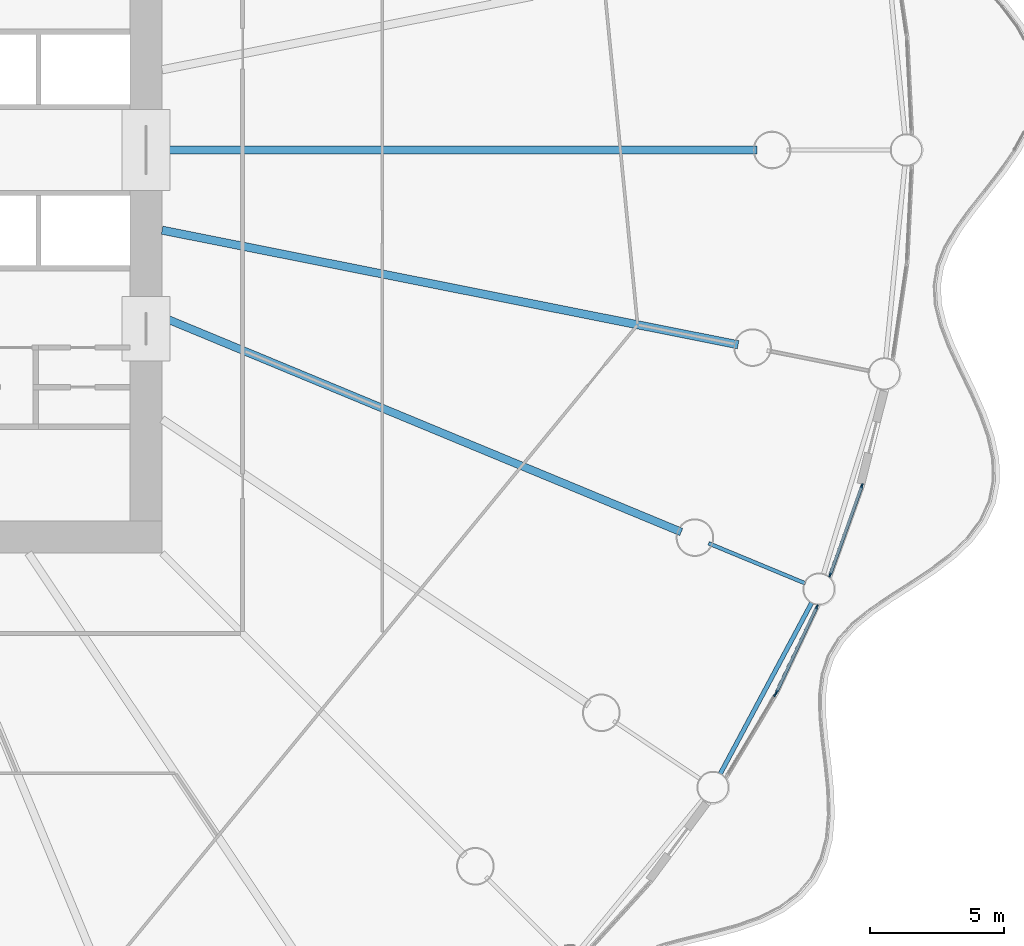
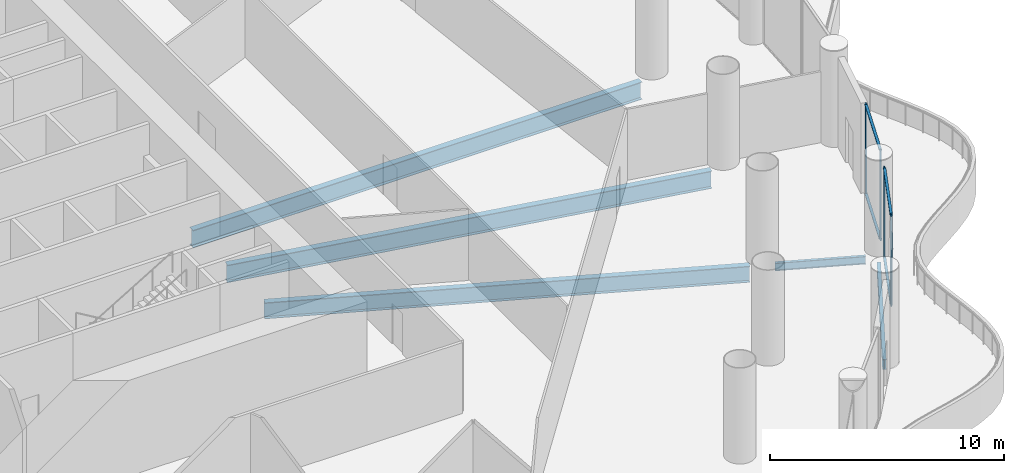
# One storey, part 11 of 38: 9 members, 5 beams, 3 elements without a shape of their own.
"""IFC4 building model written with IfcOpenShell, lengths in metres."""

from ifc_helpers import new_model, si_unit, direction, frame, origin, origin_2d, place, context, subcontext, project, spatial, rectangle, i_section, extrude, material, material_profile, profile_set, type_object, element, aggregate, save


model = new_model("IFC4")

# Units and contexts
model_context = context("Model", 3, precision=1e-05, world=origin(), true_north=direction((0.0, 1.0)))
body_context = subcontext(model_context, "Body", "Model", "MODEL_VIEW")
ifc_project = project(units=[si_unit("LENGTHUNIT", "METRE"), si_unit("AREAUNIT", "SQUARE_METRE"), si_unit("VOLUMEUNIT", "CUBIC_METRE"), si_unit("PLANEANGLEUNIT", "RADIAN"), si_unit("MASSUNIT", "GRAM", prefix="KILO")], contexts=[model_context])

# Site, building, storey
site_placement = place(None, origin())
site = spatial("IfcSite", under=ifc_project, at=site_placement, CompositionType="ELEMENT")
building_placement = place(site_placement, origin())
building = spatial("IfcBuilding", under=site, at=building_placement, Name="Corvane Civic Tower", CompositionType="ELEMENT")
storey_placement = place(building_placement, frame((0.0, 0.0, 32.0)))
storey = spatial("IfcBuildingStorey", under=building, at=storey_placement, Name="L06", CompositionType="ELEMENT", Elevation=32.0)

# Beams
ifc_material_1 = material(Name="Steel ASTM A992 Gr 50", Category="steel")
ifc_material_profile_1 = material_profile(ifc_material_1, i_section(OverallWidth=0.165771484375, OverallDepth=0.5283203125, WebThickness=0.009765625, FlangeThickness=0.013671875, at=origin_2d()), Name="W21X50")
ifc_profile_set_1 = profile_set([ifc_material_profile_1], Name="Steel ASTM A992 Gr 50")
beam_type_1 = type_object("IfcBeamType", Name="EDGE BEAM W21X50", PredefinedType="BEAM", material=ifc_profile_set_1)
beam_1_placement = place(storey_placement, frame((39.1904296875, -16.82568359375, -0.564208984375), z_axis=(-0.471412394598, -0.881912894916, 0.0), x_axis=(0.881912894916, -0.471412394598, 0.0)))
element("IfcBeam", 1, at=beam_1_placement, inside=storey, type_object=beam_type_1, Name="BM-L06-E11", PredefinedType="BEAM", context=body_context, shape_type="SweptSolid", body=[
    extrude(i_section(OverallWidth=0.165771484375, OverallDepth=0.5283203125, WebThickness=0.009765625, FlangeThickness=0.013671875, at=origin_2d()), origin(), (0.0, 0.0, 1.0), 7.270751953125),
])
ifc_material_2 = material(Name="Steel ASTM A992 Gr 50", Category="steel")
ifc_material_profile_2 = material_profile(ifc_material_2, i_section(OverallWidth=0.140380859375, OverallDepth=0.40380859375, WebThickness=0.007080078125, FlangeThickness=0.01123046875, at=origin_2d()), Name="W16X31")
ifc_profile_set_2 = profile_set([ifc_material_profile_2], Name="Steel ASTM A992 Gr 50")
beam_type_2 = type_object("IfcBeamType", Name="FLOOR GIRDER W16X31", PredefinedType="BEAM", material=ifc_profile_set_2)
beam_2_placement = place(storey_placement, frame((35.33837890625, -14.6376953125, -0.501953125), z_axis=(0.923878730261, -0.382685369162, 0.0), x_axis=(0.382685369162, 0.923878730261, 0.0)))
element("IfcBeam", 2, at=beam_2_placement, inside=storey, type_object=beam_type_2, Name="BM-L06-G11b", PredefinedType="BEAM", context=body_context, shape_type="SweptSolid", body=[
    extrude(i_section(OverallWidth=0.140380859375, OverallDepth=0.40380859375, WebThickness=0.007080078125, FlangeThickness=0.01123046875, at=origin_2d()), origin(), (0.0, 0.0, 1.0), 3.89990234375),
])
ifc_material_3 = material(Name="Steel ASTM A992 Gr 50", Category="steel")
ifc_material_profile_3 = material_profile(ifc_material_3, i_section(OverallWidth=0.2919921875, OverallDepth=0.845703125, WebThickness=0.015380859375, FlangeThickness=0.0244140625, at=origin_2d()), Name="W33X141")
ifc_profile_set_3 = profile_set([ifc_material_profile_3], Name="Steel ASTM A992 Gr 50")
beam_type_3 = type_object("IfcBeamType", Name="FLOOR GIRDER W33X141", PredefinedType="BEAM", material=ifc_profile_set_3)
beam_3_placement = place(storey_placement, frame((15.0, -6.213134765625, -0.722900390625), z_axis=(0.923875834355, -0.382692360381, 0.0), x_axis=(0.382692360381, 0.923875834355, 0.0)))
element("IfcBeam", 3, at=beam_3_placement, inside=storey, type_object=beam_type_3, Name="BM-L06-G11", PredefinedType="BEAM", context=body_context, shape_type="SweptSolid", body=[
    extrude(i_section(OverallWidth=0.2919921875, OverallDepth=0.845703125, WebThickness=0.015380859375, FlangeThickness=0.0244140625, at=origin_2d()), origin(), (0.0, 0.0, 1.0), 20.9140625),
])
ifc_material_4 = material(Name="Steel ASTM A992 Gr 50", Category="steel")
ifc_material_profile_4 = material_profile(ifc_material_4, i_section(OverallWidth=0.3046875, OverallDepth=0.911865234375, WebThickness=0.015869140625, FlangeThickness=0.02392578125, at=origin_2d()), Name="W36X150")
ifc_profile_set_4 = profile_set([ifc_material_profile_4], Name="Steel ASTM A992 Gr 50")
beam_type_4 = type_object("IfcBeamType", Name="FLOOR GIRDER W36X150", PredefinedType="BEAM", material=ifc_profile_set_4)
beam_4_placement = place(storey_placement, frame((15.0, 0.0, -0.755859375), z_axis=(1.0, 0.0, 0.0), x_axis=(0.0, 1.0, 0.0)))
element("IfcBeam", 4, at=beam_4_placement, inside=storey, type_object=beam_type_4, Name="BM-L06-G09", PredefinedType="BEAM", context=body_context, shape_type="SweptSolid", body=[
    extrude(i_section(OverallWidth=0.3046875, OverallDepth=0.911865234375, WebThickness=0.015869140625, FlangeThickness=0.02392578125, at=origin_2d()), origin(), (0.0, 0.0, 1.0), 22.14990234375),
])
beam_5_placement = place(storey_placement, frame((15.0, -2.983642578125, -0.755859375), z_axis=(0.980785499679, -0.195089219638, 0.0), x_axis=(0.195089219638, 0.980785499679, 0.0)))
element("IfcBeam", 5, at=beam_5_placement, inside=storey, type_object=beam_type_4, Name="BM-L06-G10", PredefinedType="BEAM", context=body_context, shape_type="SweptSolid", body=[
    extrude(i_section(OverallWidth=0.3046875, OverallDepth=0.911865234375, WebThickness=0.015869140625, FlangeThickness=0.02392578125, at=origin_2d()), origin(), (0.0, 0.0, 1.0), 21.856201171875),
])

# Curtain wall, members
ifc_material_5 = material(Name="Aluminium and glass", Category="aluminium")
curtain_wall_type = type_object("IfcCurtainWallType", Name="PODIUM-CW-P-RUN", PredefinedType="NOTDEFINED", material=ifc_material_5)
curtain_wall_1_placement = place(storey_placement, origin())
curtain_wall_1 = element("IfcCurtainWall", 6, at=curtain_wall_1_placement, inside=storey, type_object=curtain_wall_type, Name="PODI run L06-drum-10B", PredefinedType="NOTDEFINED")
ifc_material_6 = material(Name="Anodised aluminium bronze", Category="aluminium")
ifc_material_profile_5 = material_profile(ifc_material_6, rectangle(XDim=0.06005859375, YDim=0.159912109375, at=origin_2d()), Name="AL 60x160")
ifc_profile_set_5 = profile_set([ifc_material_profile_5], Name="Anodised aluminium bronze")
member_type_1 = type_object("IfcMemberType", Name="PODIUM-CWP-MULLION-60x160", PredefinedType="MULLION", material=ifc_profile_set_5)
member_1_placement = place(storey_placement, frame((41.046875, -12.4990234375, 0.0), z_axis=(0.0, 0.0, 1.0), x_axis=(0.941533802561, -0.336918534123, 0.0)))
member_1 = element("IfcMember", 7, at=member_1_placement, type_object=member_type_1, Name="CW-P mullion 1", PredefinedType="MULLION", context=body_context, shape_type="SweptSolid", body=[
    extrude(rectangle(XDim=0.06005859375, YDim=0.159912109375, at=origin_2d()), origin(), (0.0, 0.0, 1.0), 4.699951171875),
])
member_2_placement = place(storey_placement, frame((39.861083984375, -15.81298828125, 0.0), z_axis=(0.0, 0.0, 1.0), x_axis=(0.941533802561, -0.336918534123, 0.0)))
member_2 = element("IfcMember", 8, at=member_2_placement, type_object=member_type_1, Name="CW-P mullion 2", PredefinedType="MULLION", context=body_context, shape_type="SweptSolid", body=[
    extrude(rectangle(XDim=0.06005859375, YDim=0.159912109375, at=origin_2d()), origin(), (0.0, 0.0, 1.0), 4.699951171875),
])

curtain_wall_2_placement = place(storey_placement, origin())
curtain_wall_2 = element("IfcCurtainWall", 9, at=curtain_wall_2_placement, inside=storey, type_object=curtain_wall_type, Name="PODI run L06-drum-11A", PredefinedType="NOTDEFINED")
member_3_placement = place(storey_placement, frame((39.36767578125, -17.00439453125, 0.0), z_axis=(0.0, 0.0, 1.0), x_axis=(0.903990222454, -0.42755312852, 0.0)))
member_3 = element("IfcMember", 10, at=member_3_placement, type_object=member_type_1, Name="CW-P mullion 1", PredefinedType="MULLION", context=body_context, shape_type="SweptSolid", body=[
    extrude(rectangle(XDim=0.06005859375, YDim=0.159912109375, at=origin_2d()), origin(), (0.0, 0.0, 1.0), 4.699951171875),
])
member_4_placement = place(storey_placement, frame((37.862548828125, -20.186279296875, 0.0), z_axis=(0.0, 0.0, 1.0), x_axis=(0.903990222454, -0.42755312852, 0.0)))
member_4 = element("IfcMember", 11, at=member_4_placement, type_object=member_type_1, Name="CW-P mullion 2", PredefinedType="MULLION", context=body_context, shape_type="SweptSolid", body=[
    extrude(rectangle(XDim=0.06005859375, YDim=0.159912109375, at=origin_2d()), origin(), (0.0, 0.0, 1.0), 4.699951171875),
])

# Curtain wall, member
curtain_wall_3_placement = place(storey_placement, origin())
curtain_wall_3 = element("IfcCurtainWall", 12, at=curtain_wall_3_placement, inside=storey, type_object=curtain_wall_type, Name="PODI run L06-drum-11B", PredefinedType="NOTDEFINED")
member_5_placement = place(storey_placement, frame((37.819580078125, -20.2666015625, 0.0), z_axis=(0.0, 0.0, 1.0), x_axis=(0.857719609779, -0.514117759857, 0.0)))
member_5 = element("IfcMember", 13, at=member_5_placement, type_object=member_type_1, Name="CW-P mullion 1", PredefinedType="MULLION", context=body_context, shape_type="SweptSolid", body=[
    extrude(rectangle(XDim=0.06005859375, YDim=0.159912109375, at=origin_2d()), origin(), (0.0, 0.0, 1.0), 4.699951171875),
])
aggregate(curtain_wall_3, [member_5])

# Member
ifc_material_7 = material(Name="Anodised aluminium bronze", Category="aluminium")
ifc_material_profile_6 = material_profile(ifc_material_7, rectangle(XDim=0.1201171875, YDim=0.06005859375, at=origin_2d()), Name="AL 120x60")
ifc_profile_set_6 = profile_set([ifc_material_profile_6], Name="Anodised aluminium bronze")
member_type_2 = type_object("IfcMemberType", Name="PODIUM-CWP-TRANSOM-60x120", PredefinedType="USERDEFINED", material=ifc_profile_set_6)
member_6_placement = place(storey_placement, frame((41.036865234375, -12.527099609375, 0.030029296875), z_axis=(-0.336939787896, -0.941526196838, 0.0), x_axis=(0.941526196838, -0.336939787896, 0.0)))
member_6 = element("IfcMember", 14, at=member_6_placement, type_object=member_type_2, Name="CW-P transom 1.1", ObjectType="TRANSOM", PredefinedType="USERDEFINED", context=body_context, shape_type="SweptSolid", body=[
    extrude(rectangle(XDim=0.1201171875, YDim=0.06005859375, at=origin_2d()), origin(), (0.0, 0.0, 1.0), 3.4599609375),
])

member_7_placement = place(storey_placement, frame((41.036865234375, -12.527099609375, 4.669921875), z_axis=(-0.336939787896, -0.941526196838, 0.0), x_axis=(0.941526196838, -0.336939787896, 0.0)))
member_7 = element("IfcMember", 15, at=member_7_placement, type_object=member_type_2, Name="CW-P transom 1.2", ObjectType="TRANSOM", PredefinedType="USERDEFINED", context=body_context, shape_type="SweptSolid", body=[
    extrude(rectangle(XDim=0.1201171875, YDim=0.06005859375, at=origin_2d()), origin(), (0.0, 0.0, 1.0), 3.4599609375),
])

aggregate(curtain_wall_1, [member_1, member_2, member_6, member_7])

member_8_placement = place(storey_placement, frame((39.354736328125, -17.031494140625, 0.030029296875), z_axis=(-0.427546343166, -0.903993431638, 0.0), x_axis=(0.903993431638, -0.427546343166, 0.0)))
member_8 = element("IfcMember", 16, at=member_8_placement, type_object=member_type_2, Name="CW-P transom 1.1", ObjectType="TRANSOM", PredefinedType="USERDEFINED", context=body_context, shape_type="SweptSolid", body=[
    extrude(rectangle(XDim=0.1201171875, YDim=0.06005859375, at=origin_2d()), origin(), (0.0, 0.0, 1.0), 3.4599609375),
])

member_9_placement = place(storey_placement, frame((39.354736328125, -17.031494140625, 4.669921875), z_axis=(-0.427546343166, -0.903993431638, 0.0), x_axis=(0.903993431638, -0.427546343166, 0.0)))
member_9 = element("IfcMember", 17, at=member_9_placement, type_object=member_type_2, Name="CW-P transom 1.2", ObjectType="TRANSOM", PredefinedType="USERDEFINED", context=body_context, shape_type="SweptSolid", body=[
    extrude(rectangle(XDim=0.1201171875, YDim=0.06005859375, at=origin_2d()), origin(), (0.0, 0.0, 1.0), 3.4599609375),
])

aggregate(curtain_wall_2, [member_3, member_4, member_8, member_9])

save(model, "model.ifc")
